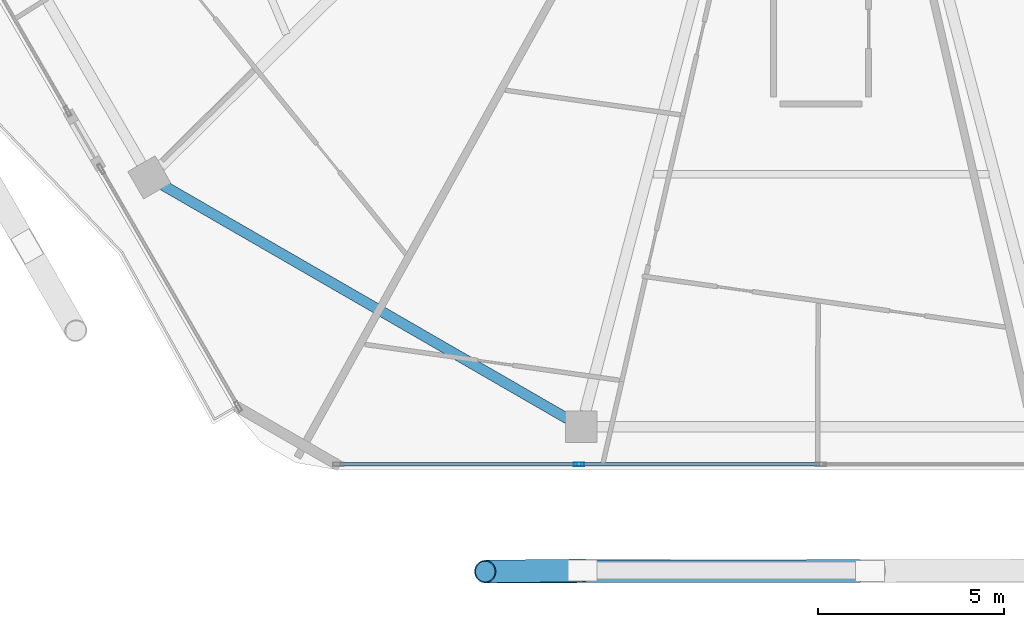
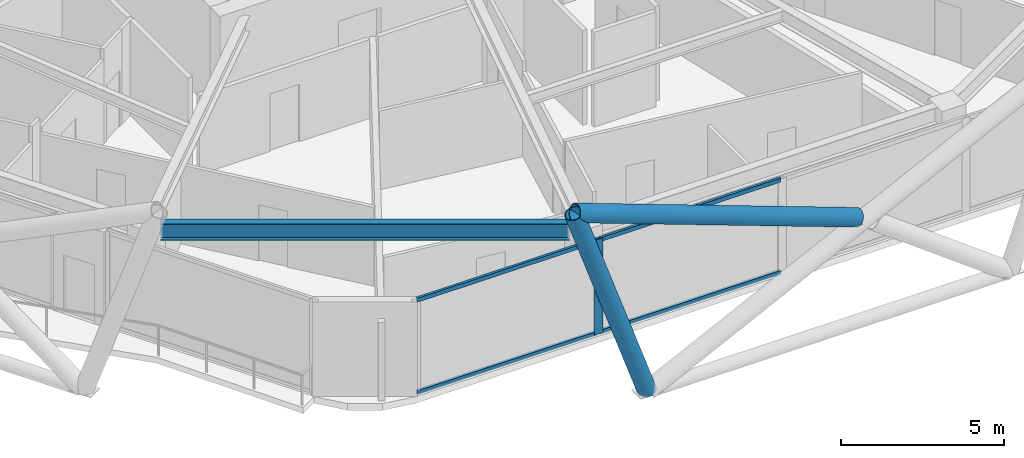
# One storey, part 3 of 28: 7 members, 1 beam, 1 element without a shape of its own.
"""IFC4 building model written with IfcOpenShell, lengths in metres."""

from ifc_helpers import new_model, si_unit, direction, frame, origin, origin_2d, place, context, subcontext, project, spatial, hollow_rectangle, hollow_circle, i_section, extrude, material, material_profile, profile_set, type_object, element, aggregate, save


model = new_model("IFC4")

# Units and contexts
model_context = context("Model", 3, precision=1e-05, world=origin(), true_north=direction((0.0, 1.0)))
body_context = subcontext(model_context, "Body", "Model", "MODEL_VIEW")
ifc_project = project(units=[si_unit("LENGTHUNIT", "METRE"), si_unit("AREAUNIT", "SQUARE_METRE"), si_unit("VOLUMEUNIT", "CUBIC_METRE"), si_unit("PLANEANGLEUNIT", "RADIAN"), si_unit("MASSUNIT", "GRAM", prefix="KILO")], contexts=[model_context])

# Site, building, storey
site_placement = place(None, origin())
site = spatial("IfcSite", under=ifc_project, at=site_placement, CompositionType="ELEMENT")
building_placement = place(site_placement, origin())
building = spatial("IfcBuilding", under=site, at=building_placement, Name="Zuhravey Tower", CompositionType="ELEMENT")
storey_placement = place(building_placement, frame((0.0, 0.0, 284.39990234375)))
storey = spatial("IfcBuildingStorey", under=building, at=storey_placement, Name="L72", CompositionType="ELEMENT", Elevation=284.39990234375)

# Curtain wall, members
ifc_material_1 = material(Name="Thermally broken anodised aluminium", Category="aluminium")
curtain_wall_type = type_object("IfcCurtainWallType", Name="Zone 3-4 High-Rise Curtain Wall CW4", PredefinedType="NOTDEFINED", material=ifc_material_1)
curtain_wall_placement = place(storey_placement, origin())
curtain_wall = element("IfcCurtainWall", 1, at=curtain_wall_placement, inside=storey, type_object=curtain_wall_type, Name="L72 CW4 CW-L72-F5-1", PredefinedType="NOTDEFINED")
ifc_material_2 = material(Name="Anodised aluminium", Category="aluminium")
ifc_material_profile_1 = material_profile(ifc_material_2, hollow_rectangle(XDim=0.090087890625, YDim=0.284912109375, WallThickness=0.0048828125, at=origin_2d()), Name="ALU-RHS-90x285x5")
ifc_profile_set_1 = profile_set([ifc_material_profile_1], Name="Anodised aluminium")
member_type_1 = type_object("IfcMemberType", Name="Curtain-Wall Mullion 90x180", PredefinedType="MULLION", material=ifc_profile_set_1)
member_1_placement = place(storey_placement, frame((29.49365234375, 6.436279296875, 0.0), z_axis=(0.0, 0.0, 1.0), x_axis=(0.0, -1.0, 0.0)))
member_1 = element("IfcMember", 2, at=member_1_placement, type_object=member_type_1, Name="CW4 mullion 4", PredefinedType="MULLION", context=body_context, shape_type="SweptSolid", body=[
    extrude(hollow_rectangle(XDim=0.090087890625, YDim=0.284912109375, WallThickness=0.0048828125, at=origin_2d()), origin(), (0.0, 0.0, 1.0), 3.550048828125),
])
ifc_material_profile_2 = material_profile(ifc_material_2, hollow_rectangle(XDim=0.090087890625, YDim=0.14990234375, WallThickness=0.0048828125, at=origin_2d()), Name="ALU-RHS-90x150x5")
ifc_profile_set_2 = profile_set([ifc_material_profile_2], Name="Anodised aluminium")
member_type_2 = type_object("IfcMemberType", Name="Curtain-Wall Transom 90x150", PredefinedType="USERDEFINED", material=ifc_profile_set_2)
member_2_placement = place(storey_placement, frame((35.955078125, 6.436279296875, 0.045166015625), z_axis=(-1.0, 0.0, 0.0), x_axis=(0.0, -1.0, 0.0)))
member_2 = element("IfcMember", 3, at=member_2_placement, type_object=member_type_2, Name="CW4 transom 3.1", ObjectType="TRANSOM", PredefinedType="USERDEFINED", context=body_context, shape_type="SweptSolid", body=[
    extrude(hollow_rectangle(XDim=0.090087890625, YDim=0.14990234375, WallThickness=0.0048828125, at=origin_2d()), origin(), (0.0, 0.0, 1.0), 6.41650390625),
])
member_3_placement = place(storey_placement, frame((35.955078125, 6.436279296875, 3.505126953125), z_axis=(-1.0, 0.0, 0.0), x_axis=(0.0, -1.0, 0.0)))
member_3 = element("IfcMember", 4, at=member_3_placement, type_object=member_type_2, Name="CW4 transom 3.2", ObjectType="TRANSOM", PredefinedType="USERDEFINED", context=body_context, shape_type="SweptSolid", body=[
    extrude(hollow_rectangle(XDim=0.090087890625, YDim=0.14990234375, WallThickness=0.0048828125, at=origin_2d()), origin(), (0.0, 0.0, 1.0), 6.41650390625),
])
member_4_placement = place(storey_placement, frame((29.44873046875, 6.436279296875, 0.045166015625), z_axis=(-1.0, 0.0, 0.0), x_axis=(0.0, -1.0, 0.0)))
member_4 = element("IfcMember", 5, at=member_4_placement, type_object=member_type_2, Name="CW4 transom 4.1", ObjectType="TRANSOM", PredefinedType="USERDEFINED", context=body_context, shape_type="SweptSolid", body=[
    extrude(hollow_rectangle(XDim=0.090087890625, YDim=0.14990234375, WallThickness=0.0048828125, at=origin_2d()), origin(), (0.0, 0.0, 1.0), 6.371337890625),
])
member_5_placement = place(storey_placement, frame((29.44873046875, 6.436279296875, 3.505126953125), z_axis=(-1.0, 0.0, 0.0), x_axis=(0.0, -1.0, 0.0)))
member_5 = element("IfcMember", 6, at=member_5_placement, type_object=member_type_2, Name="CW4 transom 4.2", ObjectType="TRANSOM", PredefinedType="USERDEFINED", context=body_context, shape_type="SweptSolid", body=[
    extrude(hollow_rectangle(XDim=0.090087890625, YDim=0.14990234375, WallThickness=0.0048828125, at=origin_2d()), origin(), (0.0, 0.0, 1.0), 6.371337890625),
])
aggregate(curtain_wall, [member_1, member_2, member_3, member_4, member_5])

# Members
ifc_material_3 = material(Name="Steel SM355", Category="steel")
ifc_material_profile_3 = material_profile(ifc_material_3, hollow_circle(Radius=0.3046875, WallThickness=0.028076171875, at=origin_2d()), Name="CHS-609.6x28")
ifc_profile_set_3 = profile_set([ifc_material_profile_3], Name="Steel SM355")
member_type_3 = type_object("IfcMemberType", Name="Exoskeleton Zone 3 Diagrid CHS610x28", PredefinedType="BRACE", material=ifc_profile_set_3)
member_6_placement = place(storey_placement, frame((29.586181640625, 3.58642578125, -0.44580078125), z_axis=(-0.326057972231, -0.003753053583, 0.945342326003), x_axis=(0.011509624999, -0.999933762072, 0.0)))
element("IfcMember", 7, at=member_6_placement, inside=storey, type_object=member_type_3, Name="L72 Face 5 Diagrid Brace 1", PredefinedType="BRACE", context=body_context, shape_type="SweptSolid", body=[
    extrude(hollow_circle(Radius=0.3046875, WallThickness=0.028076171875, at=origin_2d()), origin(), (0.0, 0.0, 1.0), 8.001220703125),
])
member_7_placement = place(storey_placement, frame((37.03369140625, 3.571044921875, 3.437744140625), z_axis=(-0.938611635194, -0.001371570826, 0.344972922229), x_axis=(0.001461274621, -0.999998932338, 0.0)))
element("IfcMember", 8, at=member_7_placement, inside=storey, type_object=member_type_3, Name="L72 Face 5 Split Diagrid Brace 3B", PredefinedType="BRACE", context=body_context, shape_type="SweptSolid", body=[
    extrude(hollow_circle(Radius=0.3046875, WallThickness=0.028076171875, at=origin_2d()), origin(), (0.0, 0.0, 1.0), 10.679931640625),
])

# Beam
ifc_material_profile_4 = material_profile(ifc_material_3, i_section(OverallWidth=0.280029296875, OverallDepth=0.6201171875, WebThickness=0.011962890625, FlangeThickness=0.02001953125, at=origin_2d()), Name="H-620x280x12x20")
ifc_profile_set_4 = profile_set([ifc_material_profile_4], Name="Steel SM355")
beam_type = type_object("IfcBeamType", Name="Perimeter Ring Beam H620x280", PredefinedType="BEAM", material=ifc_profile_set_4)
beam_placement = place(storey_placement, frame((18.3271484375, 13.931396484375, 3.239990234375), z_axis=(0.866018312875, -0.500012281615, 0.0), x_axis=(0.500012281615, 0.866018312875, 0.0)))
element("IfcBeam", 9, at=beam_placement, inside=storey, type_object=beam_type, Name="L72 PB3 BM-L72-PB-08", PredefinedType="BEAM", context=body_context, shape_type="SweptSolid", body=[
    extrude(i_section(OverallWidth=0.280029296875, OverallDepth=0.6201171875, WebThickness=0.011962890625, FlangeThickness=0.02001953125, at=origin_2d()), origin(), (0.0, 0.0, 1.0), 12.541748046875),
])

save(model, "model.ifc")
